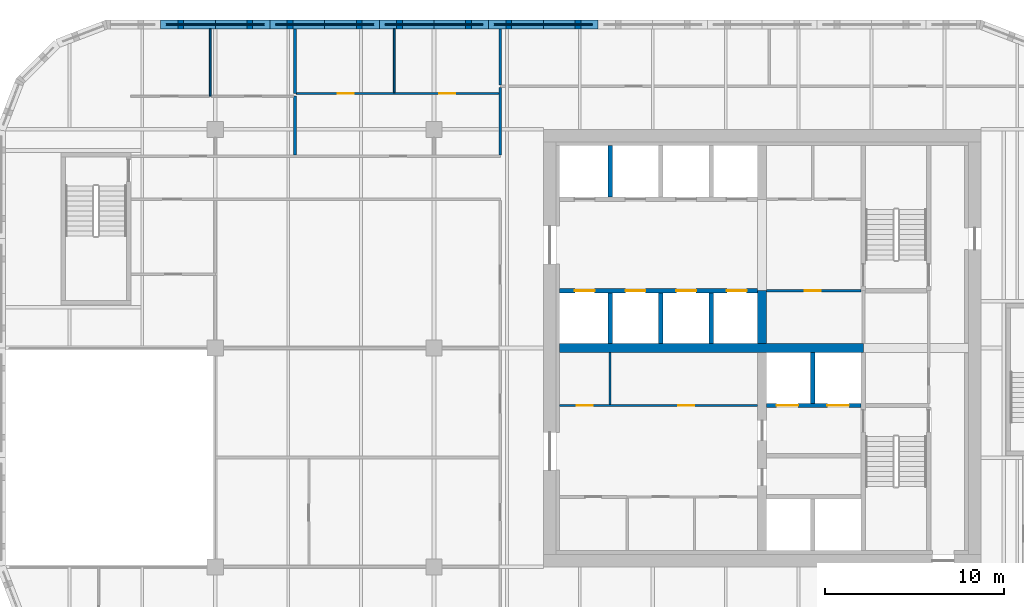
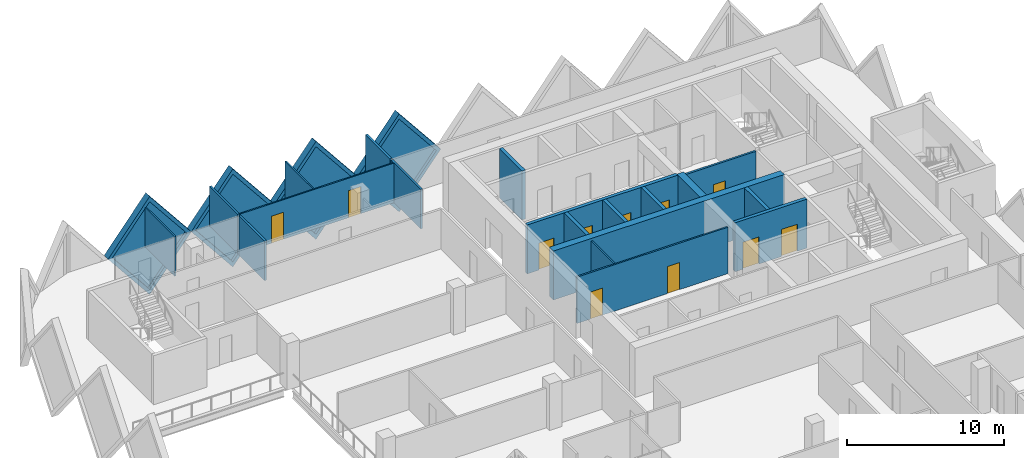
# One storey, part 8 of 12: 23 walls, 11 doors, 4 plates, 15 openings.
"""IFC4 building model written with IfcOpenShell, lengths in metres."""

from ifc_helpers import new_model, si_unit, direction, frame, frame_2d, origin, place, context, subcontext, project, spatial, polyline, rectangle, outline, extrude, faceted_brep, source, transform, mapped, material, layer, layer_set, type_object, element, fill, save


model = new_model("IFC4")

# Units and contexts
model_context = context("Model", 3, precision=1e-05, world=origin(), true_north=direction((0.0, 1.0)))
body_context = subcontext(model_context, "Body", "Model", "MODEL_VIEW")
ifc_project = project(units=[si_unit("LENGTHUNIT", "METRE"), si_unit("AREAUNIT", "SQUARE_METRE"), si_unit("VOLUMEUNIT", "CUBIC_METRE"), si_unit("PLANEANGLEUNIT", "RADIAN"), si_unit("MASSUNIT", "GRAM", prefix="KILO")], contexts=[model_context])

# Site, building, storey
site_placement = place(None, origin())
site = spatial("IfcSite", under=ifc_project, at=site_placement, CompositionType="ELEMENT")
building_placement = place(site_placement, origin())
building = spatial("IfcBuilding", under=site, at=building_placement, Name="Tessera Gate Towers", CompositionType="ELEMENT")
storey_placement = place(building_placement, frame((0.0, 0.0, 143.0)))
storey = spatial("IfcBuildingStorey", under=building, at=storey_placement, Name="L35", CompositionType="ELEMENT", Elevation=143.0)

# Wall, openings, doors
ifc_material_1 = material(Name="Concrete C40/50", Category="concrete")
ifc_layer_1 = layer(ifc_material_1, 0.25)
ifc_layer_set_1 = layer_set([ifc_layer_1], Name="CORE ENCLOSURE WALL 250")
wall_type_1 = type_object("IfcWallType", Name="CORE ENCLOSURE WALL 250", PredefinedType="SOLIDWALL", material=ifc_layer_set_1)
wall_1_placement = place(storey_placement, frame((31.39990234375, 39.800048828125, 0.0), z_axis=(0.0, 0.0, 1.0), x_axis=(1.0, 0.0, 0.0)))
wall_1 = element("IfcWall", 1, at=wall_1_placement, inside=storey, type_object=wall_type_1, Name="L35 shaft and stair enclosure wall", PredefinedType="SOLIDWALL", context=body_context, shape_type="SweptSolid", body=[
    extrude(rectangle(XDim=11.050048828125, YDim=0.25, at=frame_2d((5.52490234375, 0.0))), origin(), (0.0, 0.0, 1.0), 3.800048828125),
])
shared_shape_1 = source(origin(), body_context, "Body", "SweptSolid", [
    extrude(rectangle(XDim=1.10009765625, YDim=2.10009765625, at=frame_2d((0.550048828125, 1.050048828125))), frame((0.0, 0.135009765625, 0.0), z_axis=(0.0, -1.0, 0.0), x_axis=(1.0, 0.0, 0.0)), (0.0, 0.0, 1.0), 0.27001953125),
])
opening_1_placement = place(wall_1_placement, frame((0.862548828125, 0.0, 0.0)))
opening_1 = element("IfcOpeningElement", 2, at=opening_1_placement, cuts=wall_1, Name="Opening LD-HR1", PredefinedType="OPENING", context=body_context, shape_type="MappedRepresentation", body=[
    mapped(shared_shape_1, transform((0.0, 0.0, 0.0), scale=1.0)),
])
opening_2_placement = place(wall_1_placement, frame((3.6875, 0.0, 0.0)))
opening_2 = element("IfcOpeningElement", 3, at=opening_2_placement, cuts=wall_1, Name="Opening LD-HR2", PredefinedType="OPENING", context=body_context, shape_type="MappedRepresentation", body=[
    mapped(shared_shape_1, transform((0.0, 0.0, 0.0), scale=1.0)),
])
opening_3_placement = place(wall_1_placement, frame((6.512451171875, 0.0, 0.0)))
opening_3 = element("IfcOpeningElement", 4, at=opening_3_placement, cuts=wall_1, Name="Opening LD-HR3", PredefinedType="OPENING", context=body_context, shape_type="MappedRepresentation", body=[
    mapped(shared_shape_1, transform((0.0, 0.0, 0.0), scale=1.0)),
])
opening_4_placement = place(wall_1_placement, frame((9.33740234375, 0.0, 0.0)))
opening_4 = element("IfcOpeningElement", 5, at=opening_4_placement, cuts=wall_1, Name="Opening LD-HR4", PredefinedType="OPENING", context=body_context, shape_type="MappedRepresentation", body=[
    mapped(shared_shape_1, transform((0.0, 0.0, 0.0), scale=1.0)),
])
ifc_material_2 = material(Name="Stainless steel", Category="steel")
door_type_1 = type_object("IfcDoorType", Name="CORE DOOR LD 1100x2100", OperationType="DOUBLE_DOOR_SLIDING", PredefinedType="DOOR", material=ifc_material_2)
shared_shape_2 = source(origin(), body_context, "Body", "SweptSolid", [
    extrude(rectangle(XDim=1.10009765625, YDim=2.10009765625, at=frame_2d((0.550048828125, 1.050048828125))), frame((0.0, 0.02490234375, 0.0), z_axis=(0.0, -1.0, 0.0), x_axis=(1.0, 0.0, 0.0)), (0.0, 0.0, 1.0), 0.050048828125),
])
door_1_placement = place(opening_1_placement, origin())
door_1 = element("IfcDoor", 6, at=door_1_placement, inside=storey, type_object=door_type_1, Name="Landing door HR1 L35", OperationType="DOUBLE_DOOR_SLIDING", OverallHeight=2.10009765625, OverallWidth=1.10009765625, PredefinedType="DOOR", context=body_context, shape_type="MappedRepresentation", body=[
    mapped(shared_shape_2, transform((0.0, 0.0, 0.0), scale=1.0)),
])
fill(opening_1, door_1)
door_2_placement = place(opening_2_placement, origin())
door_2 = element("IfcDoor", 7, at=door_2_placement, inside=storey, type_object=door_type_1, Name="Landing door HR2 L35", OperationType="DOUBLE_DOOR_SLIDING", OverallHeight=2.10009765625, OverallWidth=1.10009765625, PredefinedType="DOOR", context=body_context, shape_type="MappedRepresentation", body=[
    mapped(shared_shape_2, transform((0.0, 0.0, 0.0), scale=1.0)),
])
fill(opening_2, door_2)
door_3_placement = place(opening_3_placement, origin())
door_3 = element("IfcDoor", 8, at=door_3_placement, inside=storey, type_object=door_type_1, Name="Landing door HR3 L35", OperationType="DOUBLE_DOOR_SLIDING", OverallHeight=2.10009765625, OverallWidth=1.10009765625, PredefinedType="DOOR", context=body_context, shape_type="MappedRepresentation", body=[
    mapped(shared_shape_2, transform((0.0, 0.0, 0.0), scale=1.0)),
])
fill(opening_3, door_3)
door_4_placement = place(opening_4_placement, origin())
door_4 = element("IfcDoor", 9, at=door_4_placement, inside=storey, type_object=door_type_1, Name="Landing door HR4 L35", OperationType="DOUBLE_DOOR_SLIDING", OverallHeight=2.10009765625, OverallWidth=1.10009765625, PredefinedType="DOOR", context=body_context, shape_type="MappedRepresentation", body=[
    mapped(shared_shape_2, transform((0.0, 0.0, 0.0), scale=1.0)),
])
fill(opening_4, door_4)

wall_2_placement = place(storey_placement, frame((48.22509765625, 33.39990234375, 0.0), z_axis=(0.0, 0.0, 1.0), x_axis=(-1.0, 0.0, 0.0)))
wall_2 = element("IfcWall", 10, at=wall_2_placement, inside=storey, type_object=wall_type_1, Name="L35 shaft and stair enclosure wall", PredefinedType="SOLIDWALL", context=body_context, shape_type="SweptSolid", body=[
    extrude(rectangle(XDim=5.275146484375, YDim=0.25, at=frame_2d((2.6376953125, 0.0))), origin(), (0.0, 0.0, 1.0), 3.800048828125),
])
shared_shape_3 = source(origin(), body_context, "Body", "SweptSolid", [
    extrude(rectangle(XDim=1.199951171875, YDim=2.10009765625, at=frame_2d((0.60009765625, 1.050048828125))), frame((0.0, 0.135009765625, 0.0), z_axis=(0.0, -1.0, 0.0), x_axis=(1.0, 0.0, 0.0)), (0.0, 0.0, 1.0), 0.27001953125),
])
opening_5_placement = place(wall_2_placement, frame((3.512451171875, 0.0, 0.0)))
opening_5 = element("IfcOpeningElement", 11, at=opening_5_placement, cuts=wall_2, Name="Opening LD-FF1", PredefinedType="OPENING", context=body_context, shape_type="MappedRepresentation", body=[
    mapped(shared_shape_3, transform((0.0, 0.0, 0.0), scale=1.0)),
])
opening_6_placement = place(wall_2_placement, frame((0.6875, 0.0, 0.0)))
opening_6 = element("IfcOpeningElement", 12, at=opening_6_placement, cuts=wall_2, Name="Opening LD-FF2", PredefinedType="OPENING", context=body_context, shape_type="MappedRepresentation", body=[
    mapped(shared_shape_3, transform((0.0, 0.0, 0.0), scale=1.0)),
])
ifc_material_3 = material(Name="Stainless steel", Category="steel")
door_type_2 = type_object("IfcDoorType", Name="CORE DOOR LD1200 1200x2100", OperationType="DOUBLE_DOOR_SLIDING", PredefinedType="DOOR", material=ifc_material_3)
shared_shape_4 = source(origin(), body_context, "Body", "SweptSolid", [
    extrude(rectangle(XDim=1.199951171875, YDim=2.10009765625, at=frame_2d((0.60009765625, 1.050048828125))), frame((0.0, 0.02490234375, 0.0), z_axis=(0.0, -1.0, 0.0), x_axis=(1.0, 0.0, 0.0)), (0.0, 0.0, 1.0), 0.050048828125),
])
door_5_placement = place(opening_5_placement, origin())
door_5 = element("IfcDoor", 13, at=door_5_placement, inside=storey, type_object=door_type_2, Name="Landing door FF1 L35", OperationType="DOUBLE_DOOR_SLIDING", OverallHeight=2.10009765625, OverallWidth=1.199951171875, PredefinedType="DOOR", context=body_context, shape_type="MappedRepresentation", body=[
    mapped(shared_shape_4, transform((0.0, 0.0, 0.0), scale=1.0)),
])
fill(opening_5, door_5)
door_6_placement = place(opening_6_placement, origin())
door_6 = element("IfcDoor", 14, at=door_6_placement, inside=storey, type_object=door_type_2, Name="Landing door FF2 L35", OperationType="DOUBLE_DOOR_SLIDING", OverallHeight=2.10009765625, OverallWidth=1.199951171875, PredefinedType="DOOR", context=body_context, shape_type="MappedRepresentation", body=[
    mapped(shared_shape_4, transform((0.0, 0.0, 0.0), scale=1.0)),
])
fill(opening_6, door_6)

# Walls
for number, where, z_axis, x_axis, name in (
    (15, (34.22509765625, 36.85009765625, 0.0), (0.0, 0.0, 1.0), (0.0, 1.0, 0.0), "L35 shaft and stair enclosure wall"),
    (16, (37.050048828125, 36.85009765625, 0.0), (0.0, 0.0, 1.0), (0.0, 1.0, 0.0), "L35 shaft and stair enclosure wall"),
    (17, (39.875, 36.85009765625, 0.0), (0.0, 0.0, 1.0), (0.0, 1.0, 0.0), "L35 shaft and stair enclosure wall"),
):
    element("IfcWall", number, at=place(storey_placement, frame(where, z_axis=z_axis, x_axis=x_axis)), inside=storey, type_object=wall_type_1, Name=name, PredefinedType="SOLIDWALL", context=body_context, shape_type="SweptSolid", body=[
        extrude(rectangle(XDim=2.824951171875, YDim=0.25, at=frame_2d((1.41259765625, 0.0))), origin(), (0.0, 0.0, 1.0), 3.800048828125),
    ])
wall_3_placement = place(storey_placement, frame((45.52490234375, 33.52490234375, 0.0), z_axis=(0.0, 0.0, 1.0), x_axis=(0.0, 1.0, 0.0)))
element("IfcWall", 18, at=wall_3_placement, inside=storey, type_object=wall_type_1, Name="L35 shaft and stair enclosure wall", PredefinedType="SOLIDWALL", context=body_context, shape_type="SweptSolid", body=[
    extrude(rectangle(XDim=2.8251953125, YDim=0.25, at=frame_2d((1.41259765625, 0.0))), origin(), (0.0, 0.0, 1.0), 3.800048828125),
])
wall_4_placement = place(storey_placement, frame((34.22509765625, 45.02490234375, 0.0), z_axis=(0.0, 0.0, 1.0), x_axis=(0.0, 1.0, 0.0)))
element("IfcWall", 19, at=wall_4_placement, inside=storey, type_object=wall_type_1, Name="L35 shaft and stair enclosure wall", PredefinedType="SOLIDWALL", context=body_context, shape_type="SweptSolid", body=[
    extrude(rectangle(XDim=2.875, YDim=0.25, at=frame_2d((1.4375, 0.0))), origin(), (0.0, 0.0, 1.0), 3.800048828125),
])

# Wall, openings, doors
ifc_material_4 = material(Name="Gypsum board on steel studs", Category="steel")
ifc_layer_2 = layer(ifc_material_4, 0.1201171875)
ifc_layer_set_2 = layer_set([ifc_layer_2], Name="CORE PARTITION 120")
wall_type_2 = type_object("IfcWallType", Name="CORE PARTITION 120", PredefinedType="PARTITIONING", material=ifc_layer_set_2)
wall_5_placement = place(storey_placement, frame((31.39990234375, 33.39990234375, 0.0), z_axis=(0.0, 0.0, 1.0), x_axis=(1.0, 0.0, 0.0)))
wall_5 = element("IfcWall", 20, at=wall_5_placement, inside=storey, type_object=wall_type_2, Name="L35 core partition", PredefinedType="PARTITIONING", context=body_context, shape_type="SweptSolid", body=[
    extrude(rectangle(XDim=11.050048828125, YDim=0.1201171875, at=frame_2d((5.52490234375, 0.0))), origin(), (0.0, 0.0, 1.0), 3.60009765625),
])
shared_shape_5 = source(origin(), body_context, "Body", "SweptSolid", [
    extrude(rectangle(XDim=0.89990234375, YDim=2.10009765625, at=frame_2d((0.449951171875, 1.050048828125))), frame((0.0, 0.070068359375, 0.0), z_axis=(0.0, -1.0, 0.0), x_axis=(1.0, 0.0, 0.0)), (0.0, 0.0, 1.0), 0.14013671875),
])
opening_7_placement = place(wall_5_placement, frame((0.96240234375, 0.0, 0.0)))
opening_7 = element("IfcOpeningElement", 21, at=opening_7_placement, cuts=wall_5, Name="Opening RD-T1-23-07", PredefinedType="OPENING", context=body_context, shape_type="MappedRepresentation", body=[
    mapped(shared_shape_5, transform((0.0, 0.0, 0.0), scale=1.0)),
])
opening_8_placement = place(wall_5_placement, frame((6.612548828125, 0.0, 0.0)))
opening_8 = element("IfcOpeningElement", 22, at=opening_8_placement, cuts=wall_5, Name="Opening RD-T1-23-08", PredefinedType="OPENING", context=body_context, shape_type="MappedRepresentation", body=[
    mapped(shared_shape_5, transform((0.0, 0.0, 0.0), scale=1.0)),
])
ifc_material_5 = material(Name="Hollow steel fire door", Category="steel")
door_type_3 = type_object("IfcDoorType", Name="CORE DOOR RD 900x2100", OperationType="NOTDEFINED", PredefinedType="DOOR", material=ifc_material_5)
shared_shape_6 = source(origin(), body_context, "Body", "SweptSolid", [
    extrude(rectangle(XDim=0.89990234375, YDim=2.10009765625, at=frame_2d((0.449951171875, 1.050048828125))), frame((0.0, 0.02490234375, 0.0), z_axis=(0.0, -1.0, 0.0), x_axis=(1.0, 0.0, 0.0)), (0.0, 0.0, 1.0), 0.050048828125),
])
door_7_placement = place(opening_7_placement, origin())
door_7 = element("IfcDoor", 23, at=door_7_placement, inside=storey, type_object=door_type_3, Name="Core room door", OperationType="SINGLE_SWING_LEFT", OverallHeight=2.10009765625, OverallWidth=0.89990234375, PredefinedType="DOOR", context=body_context, shape_type="MappedRepresentation", body=[
    mapped(shared_shape_6, transform((0.0, 0.0, 0.0), scale=1.0)),
])
fill(opening_7, door_7)
door_8_placement = place(opening_8_placement, origin())
door_8 = element("IfcDoor", 24, at=door_8_placement, inside=storey, type_object=door_type_3, Name="Core room door", OperationType="SINGLE_SWING_RIGHT", OverallHeight=2.10009765625, OverallWidth=0.89990234375, PredefinedType="DOOR", context=body_context, shape_type="MappedRepresentation", body=[
    mapped(shared_shape_6, transform((0.0, 0.0, 0.0), scale=1.0)),
])
fill(opening_8, door_8)

# Walls
wall_6_placement = place(storey_placement, frame((34.22509765625, 33.4599609375, 0.0), z_axis=(0.0, 0.0, 1.0), x_axis=(0.0, 1.0, 0.0)))
element("IfcWall", 25, at=wall_6_placement, inside=storey, type_object=wall_type_2, Name="L35 core partition", PredefinedType="PARTITIONING", context=body_context, shape_type="SweptSolid", body=[
    extrude(rectangle(XDim=2.89013671875, YDim=0.1201171875, at=frame_2d((1.445068359375, 0.0))), origin(), (0.0, 0.0, 1.0), 3.60009765625),
])
ifc_material_6 = material(Name="Concrete C60/75", Category="concrete")
ifc_layer_3 = layer(ifc_material_6, 0.5)
ifc_layer_set_3 = layer_set([ifc_layer_3], Name="CORE SPINE WALL 500 C60/75")
wall_type_3 = type_object("IfcWallType", Name="CORE SPINE WALL 500 C60/75", PredefinedType="SHEAR", material=ifc_layer_set_3)
wall_7_placement = place(storey_placement, frame((31.39990234375, 36.60009765625, 0.0), z_axis=(0.0, 0.0, 1.0), x_axis=(1.0, 0.0, 0.0)))
element("IfcWall", 26, at=wall_7_placement, inside=storey, type_object=wall_type_3, Name="Core wall spine L35", PredefinedType="SHEAR", context=body_context, shape_type="SweptSolid", body=[
    extrude(rectangle(XDim=16.9501953125, YDim=0.5, at=frame_2d((8.47509765625, 0.0))), origin(), (0.0, 0.0, 1.0), 3.800048828125),
])
wall_8_placement = place(storey_placement, frame((42.699951171875, 36.85009765625, 0.0), z_axis=(0.0, 0.0, 1.0), x_axis=(0.0, 1.0, 0.0)))
element("IfcWall", 27, at=wall_8_placement, inside=storey, type_object=wall_type_3, Name="Core wall spine L35", PredefinedType="SHEAR", context=body_context, shape_type="SweptSolid", body=[
    extrude(rectangle(XDim=2.949951171875, YDim=0.5, at=frame_2d((1.47509765625, 0.0))), origin(), (0.0, 0.0, 1.0), 3.800048828125),
])
ifc_material_7 = material(Name="Gypsum board on steel studs, mineral wool", Category="steel")
ifc_layer_4 = layer(ifc_material_7, 0.14990234375)
ifc_layer_set_4 = layer_set([ifc_layer_4], Name="CORRIDOR WALL 150")
wall_type_4 = type_object("IfcWallType", Name="CORRIDOR WALL 150", PredefinedType="PARTITIONING", material=ifc_layer_set_4)
wall_9_placement = place(storey_placement, frame((28.10009765625, 47.3759765625, 0.0), z_axis=(0.0, 0.0, 1.0), x_axis=(0.0, 1.0, 0.0)))
element("IfcWall", 28, at=wall_9_placement, inside=storey, type_object=wall_type_4, Name="T1-L35-PW-043", PredefinedType="PARTITIONING", context=body_context, shape_type="SweptSolid", body=[
    extrude(rectangle(XDim=3.748046875, YDim=0.14990234375, at=frame_2d((1.8740234375, 0.0))), origin(), (0.0, 0.0, 1.0), 3.06689453125),
])
ifc_material_8 = material(Name="Gypsum board on steel studs", Category="steel")
ifc_layer_5 = layer(ifc_material_8, 0.10009765625)
ifc_layer_set_5 = layer_set([ifc_layer_5], Name="PARTITION 100")
wall_type_5 = type_object("IfcWallType", Name="PARTITION 100", PredefinedType="PARTITIONING", material=ifc_layer_set_5)
wall_10_placement = place(storey_placement, frame((11.919921875, 50.64990234375, 0.0), z_axis=(0.0, 0.0, 1.0), x_axis=(0.0, 1.0, 0.0)))
element("IfcWall", 29, at=wall_10_placement, inside=storey, type_object=wall_type_5, Name="T1-L35-PW-047", PredefinedType="PARTITIONING", context=body_context, shape_type="SweptSolid", body=[
    extrude(rectangle(XDim=3.75, YDim=0.10009765625, at=frame_2d((1.875, 0.0))), origin(), (0.0, 0.0, 1.0), 3.06689453125),
])

# Wall, openings, doors
wall_11_placement = place(storey_placement, frame((16.72607421875, 50.800048828125, 0.0), z_axis=(0.0, 0.0, 1.0), x_axis=(1.0, 0.0, 0.0)))
wall_11 = element("IfcWall", 30, at=wall_11_placement, inside=storey, type_object=wall_type_5, Name="T1-L35-PW-050", PredefinedType="PARTITIONING", context=body_context, shape_type="SweptSolid", body=[
    extrude(rectangle(XDim=11.2978515625, YDim=0.10009765625, at=frame_2d((5.64892578125, 0.0))), origin(), (0.0, 0.0, 1.0), 3.06689453125),
])
shared_shape_7 = source(origin(), body_context, "Body", "SweptSolid", [
    extrude(rectangle(XDim=0.89990234375, YDim=2.10009765625, at=frame_2d((0.449951171875, 1.050048828125))), frame((0.0, 0.06005859375, 0.0), z_axis=(0.0, -1.0, 0.0), x_axis=(1.0, 0.0, 0.0)), (0.0, 0.0, 1.0), 0.1201171875),
])
opening_9_placement = place(wall_11_placement, frame((2.300048828125, 0.0, 0.0)))
opening_9 = element("IfcOpeningElement", 31, at=opening_9_placement, cuts=wall_11, Name="Opening D190-A13-04", PredefinedType="OPENING", context=body_context, shape_type="MappedRepresentation", body=[
    mapped(shared_shape_7, transform((0.0, 0.0, 0.0), scale=1.0)),
])
opening_10_placement = place(wall_11_placement, frame((7.955322265625, 0.0, 0.0)))
opening_10 = element("IfcOpeningElement", 32, at=opening_10_placement, cuts=wall_11, Name="Opening D190-A13-05", PredefinedType="OPENING", context=body_context, shape_type="MappedRepresentation", body=[
    mapped(shared_shape_7, transform((0.0, 0.0, 0.0), scale=1.0)),
])
ifc_material_9 = material(Name="Timber door leaf in steel frame", Category="steel")
door_type_4 = type_object("IfcDoorType", Name="INTERNAL DOOR 900 NOT RATED", OperationType="NOTDEFINED", PredefinedType="DOOR", material=ifc_material_9)
door_9_placement = place(opening_9_placement, origin())
door_9 = element("IfcDoor", 33, at=door_9_placement, inside=storey, type_object=door_type_4, Name="T1-L35-PD-009", OperationType="SINGLE_SWING_LEFT", OverallHeight=2.10009765625, OverallWidth=0.89990234375, PredefinedType="DOOR", context=body_context, shape_type="MappedRepresentation", body=[
    mapped(shared_shape_6, transform((0.0, 0.0, 0.0), scale=1.0)),
])
fill(opening_9, door_9)
door_10_placement = place(opening_10_placement, origin())
door_10 = element("IfcDoor", 34, at=door_10_placement, inside=storey, type_object=door_type_4, Name="T1-L35-PD-010", OperationType="SINGLE_SWING_LEFT", OverallHeight=2.10009765625, OverallWidth=0.89990234375, PredefinedType="DOOR", context=body_context, shape_type="MappedRepresentation", body=[
    mapped(shared_shape_6, transform((0.0, 0.0, 0.0), scale=1.0)),
])
fill(opening_10, door_10)

# Wall
wall_12_placement = place(storey_placement, frame((22.180908203125, 50.85107421875, 0.0), z_axis=(0.0, 0.0, 1.0), x_axis=(0.0, 1.0, 0.0)))
element("IfcWall", 35, at=wall_12_placement, inside=storey, type_object=wall_type_5, Name="T1-L35-PW-051", PredefinedType="PARTITIONING", context=body_context, shape_type="SweptSolid", body=[
    extrude(rectangle(XDim=3.548828125, YDim=0.10009765625, at=frame_2d((1.7744140625, 0.0))), origin(), (0.0, 0.0, 1.0), 3.06689453125),
])

# Wall, opening, door
ifc_material_10 = material(Name="Gypsum board on steel studs", Category="steel")
ifc_layer_6 = layer(ifc_material_10, 0.14990234375)
ifc_layer_set_6 = layer_set([ifc_layer_6], Name="SERVICE ROOM WALL 150")
wall_type_6 = type_object("IfcWallType", Name="SERVICE ROOM WALL 150", PredefinedType="PARTITIONING", material=ifc_layer_set_6)
wall_13_placement = place(storey_placement, frame((48.22509765625, 39.800048828125, 0.0), z_axis=(0.0, 0.0, 1.0), x_axis=(-1.0, 0.0, 0.0)))
wall_13 = element("IfcWall", 36, at=wall_13_placement, inside=storey, type_object=wall_type_6, Name="L35 service room wall", PredefinedType="PARTITIONING", context=body_context, shape_type="SweptSolid", body=[
    extrude(rectangle(XDim=5.275146484375, YDim=0.14990234375, at=frame_2d((2.6376953125, 0.0))), origin(), (0.0, 0.0, 1.0), 3.60009765625),
])
shared_shape_8 = source(origin(), body_context, "Body", "SweptSolid", [
    extrude(rectangle(XDim=0.89990234375, YDim=2.10009765625, at=frame_2d((0.449951171875, 1.050048828125))), frame((0.0, 0.0849609375, 0.0), z_axis=(0.0, -1.0, 0.0), x_axis=(1.0, 0.0, 0.0)), (0.0, 0.0, 1.0), 0.169921875),
])
opening_11_placement = place(wall_13_placement, frame((2.25, 0.0, 0.0)))
opening_11 = element("IfcOpeningElement", 37, at=opening_11_placement, cuts=wall_13, Name="Opening RD-T1-23-12", PredefinedType="OPENING", context=body_context, shape_type="MappedRepresentation", body=[
    mapped(shared_shape_8, transform((0.0, 0.0, 0.0), scale=1.0)),
])
door_11_placement = place(opening_11_placement, origin())
door_11 = element("IfcDoor", 38, at=door_11_placement, inside=storey, type_object=door_type_3, Name="Core room door", OperationType="SINGLE_SWING_RIGHT", OverallHeight=2.10009765625, OverallWidth=0.89990234375, PredefinedType="DOOR", context=body_context, shape_type="MappedRepresentation", body=[
    mapped(shared_shape_6, transform((0.0, 0.0, 0.0), scale=1.0)),
])
fill(opening_11, door_11)

# Walls
ifc_material_11 = material(Name="Gypsum board on steel studs, mineral wool", Category="steel")
ifc_layer_7 = layer(ifc_material_11, 0.14990234375)
ifc_layer_set_7 = layer_set([ifc_layer_7], Name="TENANCY WALL 150")
wall_type_7 = type_object("IfcWallType", Name="TENANCY WALL 150", PredefinedType="PARTITIONING", material=ifc_layer_set_7)
wall_14_placement = place(storey_placement, frame((16.64990234375, 47.3759765625, 0.0), z_axis=(0.0, 0.0, 1.0), x_axis=(0.0, 1.0, 0.0)))
element("IfcWall", 39, at=wall_14_placement, inside=storey, type_object=wall_type_7, Name="T1-L35-PW-042", PredefinedType="PARTITIONING", context=body_context, shape_type="SweptSolid", body=[
    extrude(rectangle(XDim=3.27392578125, YDim=0.14990234375, at=frame_2d((1.636962890625, 0.0))), origin(), (0.0, 0.0, 1.0), 3.06689453125),
])
wall_15_placement = place(storey_placement, frame((16.64990234375, 50.800048828125, 0.0), z_axis=(0.0, 0.0, 1.0), x_axis=(0.0, 1.0, 0.0)))
element("IfcWall", 40, at=wall_15_placement, inside=storey, type_object=wall_type_7, Name="T1-L35-PW-049", PredefinedType="PARTITIONING", context=body_context, shape_type="SweptSolid", body=[
    extrude(rectangle(XDim=3.599853515625, YDim=0.14990234375, at=frame_2d((1.7998046875, 0.0))), origin(), (0.0, 0.0, 1.0), 3.06689453125),
])
wall_16_placement = place(storey_placement, frame((28.10009765625, 51.27587890625, 0.0), z_axis=(0.0, 0.0, 1.0), x_axis=(0.0, 1.0, 0.0)))
element("IfcWall", 41, at=wall_16_placement, inside=storey, type_object=wall_type_7, Name="T1-L35-PW-053", PredefinedType="PARTITIONING", context=body_context, shape_type="SweptSolid", body=[
    extrude(rectangle(XDim=3.1240234375, YDim=0.14990234375, at=frame_2d((1.56201171875, 0.0))), origin(), (0.0, 0.0, 1.0), 3.06689453125),
])

# Wall, opening, plate
ifc_material_12 = material(Name="Precast concrete C60/75 white", Category="concrete")
ifc_layer_8 = layer(ifc_material_12, 0.5)
ifc_layer_set_8 = layer_set([ifc_layer_8], Name="TS1 tessera")
wall_type_8 = type_object("IfcWallType", Name="TS1 tessera", PredefinedType="SOLIDWALL", material=ifc_layer_set_8)
shared_shape_9 = source(origin(), body_context, "Body", "Brep", [
    faceted_brep([(3.050048828125, -0.25, 0.0), (6.099853515625, -0.25, 3.7998046875), (6.099853515625, -0.25, 3.80029296875), (3.050048828125, -0.25, 7.60009765625), (0.0, -0.25, 3.800048828125), (0.0, 0.25, 3.800048828125), (3.050048828125, 0.25, 7.60009765625), (6.099853515625, 0.25, 3.80029296875), (6.099853515625, 0.25, 3.7998046875), (3.050048828125, 0.25, 0.0)], [[[0, 1, 2, 3, 4]], [[5, 6, 7, 8, 9]], [[9, 8, 1, 0]], [[7, 6, 3, 2]], [[6, 5, 4, 3]], [[5, 9, 0, 4]], [[1, 8, 7, 2]]]),
])
wall_17_placement = place(storey_placement, frame((27.449951171875, 54.64990234375, -3.800048828125), z_axis=(0.0, 0.0, 1.0), x_axis=(-1.0, 0.0, 0.0)))
wall_17 = element("IfcWall", 42, at=wall_17_placement, inside=storey, type_object=wall_type_8, Name="Precast tessera T1 TS1-0612", PredefinedType="SOLIDWALL", context=body_context, shape_type="MappedRepresentation", body=[
    mapped(shared_shape_9, transform((0.0, 0.0, 0.0), scale=1.0)),
])
shared_shape_10 = source(origin(), body_context, "Body", "SweptSolid", [
    extrude(outline(polyline([(3.050048828125, 0.3994140625), (5.779541015625, 3.800048828125), (3.050048828125, 7.20068359375), (0.320556640625, 3.800048828125), (3.050048828125, 0.3994140625)])), frame((0.0, 0.260009765625, 0.0), z_axis=(0.0, -1.0, 0.0), x_axis=(1.0, 0.0, 0.0)), (0.0, 0.0, 1.0), 0.52001953125),
])
opening_12_placement = place(wall_17_placement, origin())
opening_12 = element("IfcOpeningElement", 43, at=opening_12_placement, cuts=wall_17, Name="Opening T1-PL2-1246", PredefinedType="OPENING", context=body_context, shape_type="MappedRepresentation", body=[
    mapped(shared_shape_10, transform((0.0, 0.0, 0.0), scale=1.0)),
])
ifc_material_13 = material(Name="Low-e laminated glass", Category="glass")
ifc_layer_9 = layer(ifc_material_13, 0.06005859375)
ifc_layer_set_9 = layer_set([ifc_layer_9], Name="PL2 rhombic pane")
plate_type = type_object("IfcPlateType", Name="PL2 rhombic pane", PredefinedType="SHEET", material=ifc_layer_set_9)
shared_shape_11 = source(origin(), body_context, "Body", "SweptSolid", [
    extrude(outline(polyline([(3.050048828125, 0.3994140625), (5.779541015625, 3.800048828125), (3.050048828125, 7.20068359375), (0.320556640625, 3.800048828125), (3.050048828125, 0.3994140625)])), frame((0.0, 0.030029296875, 0.0), z_axis=(0.0, -1.0, 0.0), x_axis=(1.0, 0.0, 0.0)), (0.0, 0.0, 1.0), 0.06005859375),
])
plate_1_placement = place(opening_12_placement, origin())
plate_1 = element("IfcPlate", 44, at=plate_1_placement, inside=storey, type_object=plate_type, Name="Glass pane T1 PL2-1246", PredefinedType="SHEET", context=body_context, shape_type="MappedRepresentation", body=[
    mapped(shared_shape_11, transform((0.0, 0.0, 0.0), scale=1.0)),
])
fill(opening_12, plate_1)

shared_shape_12 = source(origin(), body_context, "Body", "SweptSolid", [
    extrude(outline(polyline([(3.050048828125, 0.0), (6.10009765625, 3.800048828125), (3.050048828125, 7.60009765625), (0.0, 3.800048828125), (3.050048828125, 0.0)])), frame((0.0, 0.25, 0.0), z_axis=(0.0, -1.0, 0.0), x_axis=(1.0, 0.0, 0.0)), (0.0, 0.0, 1.0), 0.5),
])
wall_18_placement = place(storey_placement, frame((33.550048828125, 54.64990234375, -3.800048828125), z_axis=(0.0, 0.0, 1.0), x_axis=(-1.0, 0.0, 0.0)))
wall_18 = element("IfcWall", 45, at=wall_18_placement, inside=storey, type_object=wall_type_8, Name="Precast tessera T1 TS1-0611", PredefinedType="SOLIDWALL", context=body_context, shape_type="MappedRepresentation", body=[
    mapped(shared_shape_12, transform((0.0, 0.0, 0.0), scale=1.0)),
])
opening_13_placement = place(wall_18_placement, origin())
opening_13 = element("IfcOpeningElement", 46, at=opening_13_placement, cuts=wall_18, Name="Opening T1-PL2-1245", PredefinedType="OPENING", context=body_context, shape_type="MappedRepresentation", body=[
    mapped(shared_shape_10, transform((0.0, 0.0, 0.0), scale=1.0)),
])
plate_2_placement = place(opening_13_placement, origin())
plate_2 = element("IfcPlate", 47, at=plate_2_placement, inside=storey, type_object=plate_type, Name="Glass pane T1 PL2-1245", PredefinedType="SHEET", context=body_context, shape_type="MappedRepresentation", body=[
    mapped(shared_shape_11, transform((0.0, 0.0, 0.0), scale=1.0)),
])
fill(opening_13, plate_2)

wall_19_placement = place(storey_placement, frame((21.35009765625, 54.64990234375, -3.800048828125), z_axis=(0.0, 0.0, 1.0), x_axis=(-1.0, 0.0, 0.0)))
wall_19 = element("IfcWall", 48, at=wall_19_placement, inside=storey, type_object=wall_type_8, Name="Precast tessera T1 TS1-0613", PredefinedType="SOLIDWALL", context=body_context, shape_type="MappedRepresentation", body=[
    mapped(shared_shape_12, transform((0.0, 0.0, 0.0), scale=1.0)),
])
opening_14_placement = place(wall_19_placement, origin())
opening_14 = element("IfcOpeningElement", 49, at=opening_14_placement, cuts=wall_19, Name="Opening T1-PL2-1247", PredefinedType="OPENING", context=body_context, shape_type="MappedRepresentation", body=[
    mapped(shared_shape_10, transform((0.0, 0.0, 0.0), scale=1.0)),
])
plate_3_placement = place(opening_14_placement, origin())
plate_3 = element("IfcPlate", 50, at=plate_3_placement, inside=storey, type_object=plate_type, Name="Glass pane T1 PL2-1247", PredefinedType="SHEET", context=body_context, shape_type="MappedRepresentation", body=[
    mapped(shared_shape_11, transform((0.0, 0.0, 0.0), scale=1.0)),
])
fill(opening_14, plate_3)

wall_20_placement = place(storey_placement, frame((15.25, 54.64990234375, -3.800048828125), z_axis=(0.0, 0.0, 1.0), x_axis=(-1.0, 0.0, 0.0)))
wall_20 = element("IfcWall", 51, at=wall_20_placement, inside=storey, type_object=wall_type_8, Name="Precast tessera T1 TS1-0614", PredefinedType="SOLIDWALL", context=body_context, shape_type="MappedRepresentation", body=[
    mapped(shared_shape_12, transform((0.0, 0.0, 0.0), scale=1.0)),
])
opening_15_placement = place(wall_20_placement, origin())
opening_15 = element("IfcOpeningElement", 52, at=opening_15_placement, cuts=wall_20, Name="Opening T1-PL2-1248", PredefinedType="OPENING", context=body_context, shape_type="MappedRepresentation", body=[
    mapped(shared_shape_10, transform((0.0, 0.0, 0.0), scale=1.0)),
])
plate_4_placement = place(opening_15_placement, origin())
plate_4 = element("IfcPlate", 53, at=plate_4_placement, inside=storey, type_object=plate_type, Name="Glass pane T1 PL2-1248", PredefinedType="SHEET", context=body_context, shape_type="MappedRepresentation", body=[
    mapped(shared_shape_11, transform((0.0, 0.0, 0.0), scale=1.0)),
])
fill(opening_15, plate_4)

save(model, "model.ifc")
